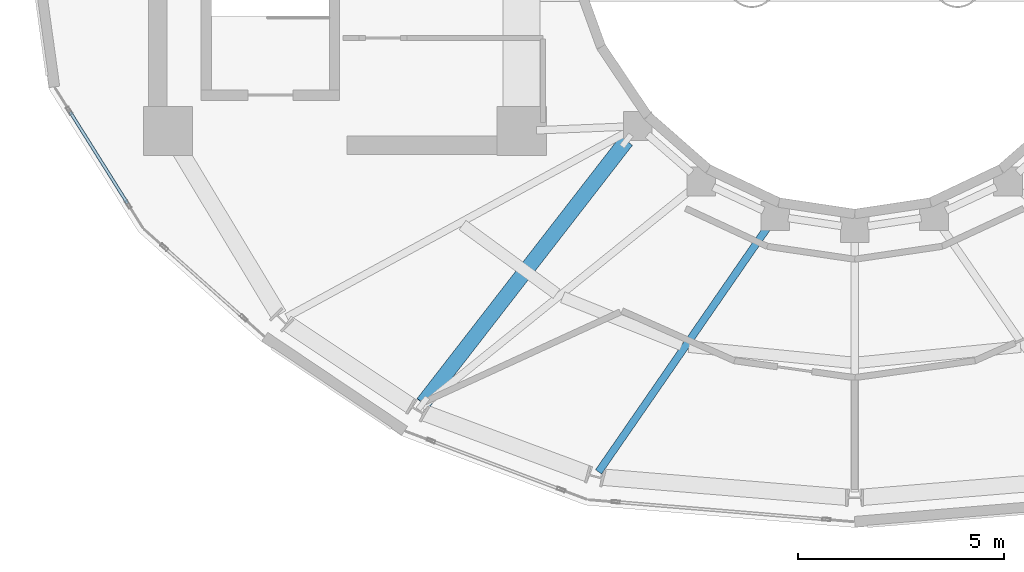
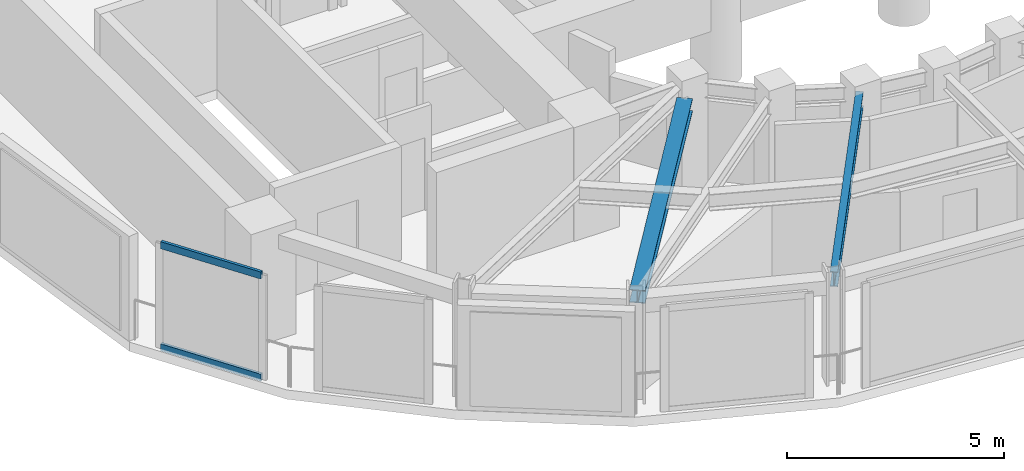
# One storey, part 3 of 17: 3 members, 1 beam, 1 element without a shape of its own.
"""IFC4 building model written with IfcOpenShell, lengths in metres."""

from ifc_helpers import new_model, si_unit, direction, frame, origin, origin_2d, place, context, subcontext, project, spatial, hollow_rectangle, i_section, extrude, material, layer, layer_set, material_profile, profile_set, type_object, element, aggregate, save


model = new_model("IFC4")

# Units and contexts
model_context = context("Model", 3, precision=1e-05, world=origin(), true_north=direction((0.0, 1.0)))
body_context = subcontext(model_context, "Body", "Model", "MODEL_VIEW")
ifc_project = project(units=[si_unit("LENGTHUNIT", "METRE"), si_unit("AREAUNIT", "SQUARE_METRE"), si_unit("VOLUMEUNIT", "CUBIC_METRE"), si_unit("PLANEANGLEUNIT", "RADIAN"), si_unit("MASSUNIT", "GRAM", prefix="KILO")], contexts=[model_context])

# Site, building, storey
site_placement = place(None, origin())
site = spatial("IfcSite", under=ifc_project, at=site_placement, CompositionType="ELEMENT")
building_placement = place(site_placement, origin())
building = spatial("IfcBuilding", under=site, at=building_placement, Name="Solvane Sanctuary Tower", CompositionType="ELEMENT")
storey_placement = place(building_placement, frame((0.0, 0.0, 276.39990234375)))
storey = spatial("IfcBuildingStorey", under=building, at=storey_placement, Name="L84", CompositionType="ELEMENT", Elevation=276.39990234375)

# Beam
ifc_material_1 = material(Name="Steel ASTM A992 Grade 50", Category="steel")
ifc_material_profile_1 = material_profile(ifc_material_1, i_section(OverallWidth=0.180908203125, OverallDepth=0.4169921875, WebThickness=0.010986328125, FlangeThickness=0.018310546875, FilletRadius=0.012939453125, at=origin_2d()), Name="W16X57")
ifc_profile_set_1 = profile_set([ifc_material_profile_1], Name="Steel ASTM A992 Grade 50")
beam_type = type_object("IfcBeamType", Name="Beam B-ROOF-BM W16X57", PredefinedType="BEAM", material=ifc_profile_set_1)
beam_placement = place(storey_placement, frame((29.909912109375, 14.597900390625, 2.739501953125), z_axis=(-0.568538355694, -0.822656755947, 0.0), x_axis=(0.822656755947, -0.568538355694, 0.0)))
element("IfcBeam", 1, at=beam_placement, inside=storey, type_object=beam_type, Name="L84 Radial Composite Floor Beam 10", PredefinedType="BEAM", context=body_context, shape_type="SweptSolid", body=[
    extrude(i_section(OverallWidth=0.180908203125, OverallDepth=0.4169921875, WebThickness=0.010986328125, FlangeThickness=0.018310546875, FilletRadius=0.012939453125, at=origin_2d()), origin(), (0.0, 0.0, 1.0), 7.279541015625),
])

# Member
ifc_material_profile_2 = material_profile(ifc_material_1, i_section(OverallWidth=0.368896484375, OverallDepth=0.35595703125, WebThickness=0.01123046875, FlangeThickness=0.01806640625, FilletRadius=0.02490234375, at=origin_2d()), Name="W14X90")
ifc_profile_set_2 = profile_set([ifc_material_profile_2], Name="Steel ASTM A992 Grade 50")
member_type_1 = type_object("IfcMemberType", Name="Member M-CROWN-TIE W14X90", PredefinedType="CHORD", material=ifc_profile_set_2)
member_1_placement = place(storey_placement, frame((26.44775390625, 16.66015625, 2.541015625), z_axis=(-0.612365021511, -0.790210815517, 0.023998905581), x_axis=(0.790438473821, -0.612541442764, 0.0)))
element("IfcMember", 2, at=member_1_placement, inside=storey, type_object=member_type_1, Name="L84 Crown Bracing Tie 08", PredefinedType="CHORD", context=body_context, shape_type="SweptSolid", body=[
    extrude(i_section(OverallWidth=0.368896484375, OverallDepth=0.35595703125, WebThickness=0.01123046875, FlangeThickness=0.01806640625, FilletRadius=0.02490234375, at=origin_2d()), origin(), (0.0, 0.0, 1.0), 8.077392578125),
])

# Curtain wall, members
ifc_material_2 = material(Name="Anodised Aluminium 6063-T6", Category="aluminium")
ifc_layer = layer(ifc_material_2, 0.219970703125, Name="Anodised Aluminium 6063-T6")
ifc_layer_set = layer_set([ifc_layer], Name="Anodised Aluminium 6063-T6")
curtain_wall_type = type_object("IfcCurtainWallType", Name="Curtain Wall CW-CROWN", PredefinedType="NOTDEFINED", material=ifc_layer_set)
curtain_wall_placement = place(storey_placement, origin())
curtain_wall = element("IfcCurtainWall", 3, at=curtain_wall_placement, inside=storey, type_object=curtain_wall_type, Name="L84 Crown Fritted Lantern Curtain Wall 13", PredefinedType="NOTDEFINED")
ifc_material_profile_3 = material_profile(ifc_material_2, hollow_rectangle(XDim=0.074951171875, YDim=0.199951171875, WallThickness=0.00390625, at=origin_2d()), Name="ALU200X75X4")
ifc_profile_set_3 = profile_set([ifc_material_profile_3], Name="Anodised Aluminium 6063-T6")
member_type_2 = type_object("IfcMemberType", Name="Member M-CW-TRN-2 ALU200X75X4", PredefinedType="USERDEFINED", material=ifc_profile_set_3)
member_2_placement = place(storey_placement, frame((12.921875, 17.358154296875, 0.03759765625), z_axis=(0.531348035337, -0.847153625586, 0.0), x_axis=(0.847153625586, 0.531348035337, 0.0)))
member_2 = element("IfcMember", 4, at=member_2_placement, type_object=member_type_2, Name="CW-CROWN transom 1.1", ObjectType="TRANSOM", PredefinedType="USERDEFINED", context=body_context, shape_type="SweptSolid", body=[
    extrude(hollow_rectangle(XDim=0.074951171875, YDim=0.199951171875, WallThickness=0.00390625, at=origin_2d()), origin(), (0.0, 0.0, 1.0), 2.61767578125),
])
member_3_placement = place(storey_placement, frame((12.921875, 17.358154296875, 2.91259765625), z_axis=(0.531348035337, -0.847153625586, 0.0), x_axis=(0.847153625586, 0.531348035337, 0.0)))
member_3 = element("IfcMember", 5, at=member_3_placement, type_object=member_type_2, Name="CW-CROWN transom 1.2", ObjectType="TRANSOM", PredefinedType="USERDEFINED", context=body_context, shape_type="SweptSolid", body=[
    extrude(hollow_rectangle(XDim=0.074951171875, YDim=0.199951171875, WallThickness=0.00390625, at=origin_2d()), origin(), (0.0, 0.0, 1.0), 2.61767578125),
])
aggregate(curtain_wall, [member_2, member_3])

save(model, "model.ifc")
